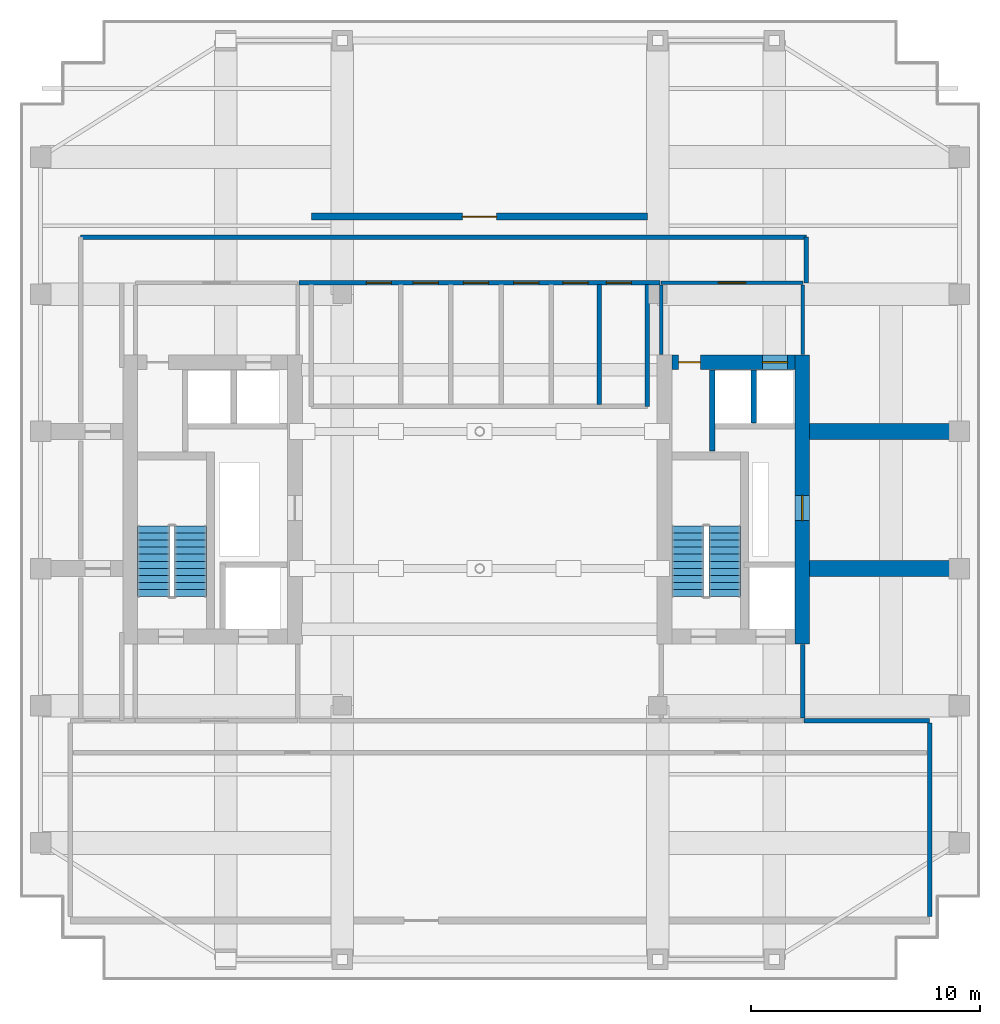
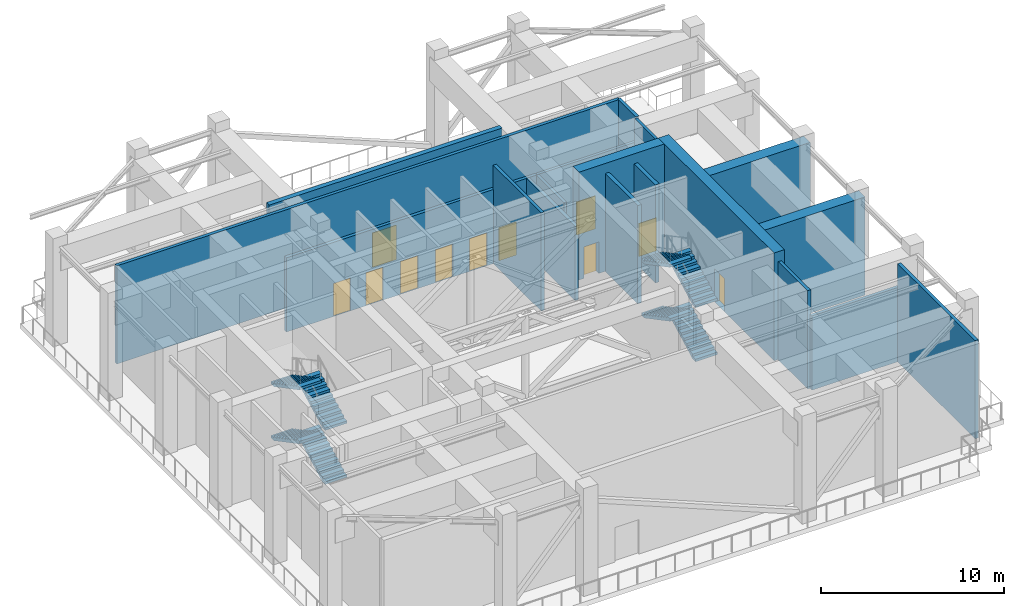
# One storey, part 5 of 9: 18 walls, 11 doors, 8 stair flights, 11 openings, 2 elements without a shape of their own.
"""IFC4 building model written with IfcOpenShell, lengths in metres."""

import ifcopenshell
import ifcopenshell.guid

model = None  # the IFC model being written
_history = None  # IfcOwnerHistory: only IFC2X3 demands one
_inside = {}  # id of a spatial element -> (the spatial element, [elements in it])
_under = {}  # id of a project, library or spatial element -> (it, [spatial elements below it])
_declared = {}  # id of a project -> (the project, [libraries it declares])
_typed = {}  # id of a type object -> (the type object, [elements of that type])
_made_of = {}  # id of a material, layer set ... -> (it, [elements and type objects made of it])


def new_model(schema):
    """Start an empty IFC model of exactly this schema.

    Asked for "IFC4X3", IfcOpenShell would pick the latest addendum, in which some entities
    have other attributes; the version numbers below select the first issue.
    IFC2X3 requires an IfcOwnerHistory on every rooted entity: one is made here for all.
    """
    global model, _history
    if schema == "IFC4X3":
        model = ifcopenshell.file(schema_version=(4, 3, 0, 0))
    else:
        model = ifcopenshell.file(schema=schema)
    _inside.clear()
    _under.clear()
    _declared.clear()
    _typed.clear()
    _made_of.clear()
    _history = None
    if model.schema == "IFC2X3":
        org = make("IfcOrganization", Name="unknown")
        user = make(
            "IfcPersonAndOrganization",
            ThePerson=make("IfcPerson", FamilyName="unknown"),
            TheOrganization=org,
        )
        app = make(
            "IfcApplication",
            ApplicationDeveloper=org,
            Version="unknown",
            ApplicationFullName="unknown",
            ApplicationIdentifier="unknown",
        )
        _history = make(
            "IfcOwnerHistory",
            OwningUser=user,
            OwningApplication=app,
            ChangeAction="ADDED",
            CreationDate=0,
        )
    return model


def make(cls, **values):
    """One entity of the class cls with the attributes given. An attribute that is None is left unset."""
    return model.create_entity(
        cls, **{name: value for name, value in values.items() if value is not None}
    )


def rooted(cls, **values):
    """An entity with a GlobalId (a new one), such as an element, a storey or a relation."""
    return make(cls, GlobalId=ifcopenshell.guid.new(), OwnerHistory=_history, **values)


def si_unit(unit_type, name, prefix=None):
    """IfcSIUnit, for example si_unit("LENGTHUNIT", "METRE", prefix="MILLI")."""
    return make("IfcSIUnit", UnitType=unit_type, Prefix=prefix, Name=name)


def assignment(units):
    """IfcUnitAssignment: the units of a project."""
    return None if units is None else make("IfcUnitAssignment", Units=units)


def point(xyz):
    """IfcCartesianPoint."""
    return None if xyz is None else make("IfcCartesianPoint", Coordinates=xyz)


def direction(xyz):
    """IfcDirection."""
    return None if xyz is None else make("IfcDirection", DirectionRatios=xyz)


def frame(location, z_axis=None, x_axis=None):
    """IfcAxis2Placement3D, a coordinate frame: its origin and axes. An axis left out is left unset."""
    return make(
        "IfcAxis2Placement3D",
        Location=point(location),
        Axis=direction(z_axis),
        RefDirection=direction(x_axis),
    )


def frame_2d(location, x_axis=None):
    """IfcAxis2Placement2D, a coordinate frame in the plane: its origin and x axis."""
    return make(
        "IfcAxis2Placement2D", Location=point(location), RefDirection=direction(x_axis)
    )


def origin():
    """The frame at (0, 0, 0) with its axes left unset."""
    return frame((0.0, 0.0, 0.0))


def place(relative_to, where):
    """IfcLocalPlacement: puts the frame where relative to a parent placement (None: the world)."""
    return make(
        "IfcLocalPlacement", PlacementRelTo=relative_to, RelativePlacement=where
    )


def context(
    kind, dimensions, precision=None, world=None, true_north=None, identifier=None
):
    """IfcGeometricRepresentationContext, for example the 3D "Model" context."""
    return make(
        "IfcGeometricRepresentationContext",
        ContextIdentifier=identifier,
        ContextType=kind,
        CoordinateSpaceDimension=dimensions,
        Precision=precision,
        WorldCoordinateSystem=world,
        TrueNorth=true_north,
    )


def subcontext(parent, identifier, kind, view, scale=None):
    """IfcGeometricRepresentationSubContext, for example "Body" below "Model"."""
    return make(
        "IfcGeometricRepresentationSubContext",
        ContextIdentifier=identifier,
        ContextType=kind,
        ParentContext=parent,
        TargetScale=scale,
        TargetView=view,
    )


def project(units=None, contexts=None):
    """IfcProject with its units and contexts."""
    return rooted(
        "IfcProject",
        Name="project",
        RepresentationContexts=contexts,
        UnitsInContext=assignment(units),
    )


def spatial(cls, under=None, at=None, **own):
    """A site, building, storey or space (cls), placed at a placement, below another one or the project."""
    s = rooted(cls, ObjectPlacement=at, **own)
    if under is not None:
        _under.setdefault(under.id(), (under, []))[1].append(s)
    return s


def polyline(points):
    """IfcPolyline through the points."""
    return make("IfcPolyline", Points=[point(p) for p in points])


def profile(cls, at=None, kind="AREA", **sizes):
    """A parametric profile (cls). Its sizes go by their IFC names, for example OverallWidth=200.0."""
    return make(cls, ProfileType=kind, Position=at, **sizes)


def rectangle(**sizes):
    """IfcRectangleProfileDef."""
    return profile("IfcRectangleProfileDef", **sizes)


def outline(outer, holes=None, kind="AREA"):
    """IfcArbitraryClosedProfileDef: a profile drawn as a closed curve; with holes, ...WithVoids."""
    if holes is None:
        return make("IfcArbitraryClosedProfileDef", ProfileType=kind, OuterCurve=outer)
    return make(
        "IfcArbitraryProfileDefWithVoids",
        ProfileType=kind,
        OuterCurve=outer,
        InnerCurves=holes,
    )


def extrude(swept, where, along, depth):
    """IfcExtrudedAreaSolid: the profile swept, set in the frame where, extruded along a direction by depth."""
    return make(
        "IfcExtrudedAreaSolid",
        SweptArea=swept,
        Position=where,
        ExtrudedDirection=direction(along),
        Depth=depth,
    )


def shape(context_of_items, identifier, shape_type, items):
    """IfcShapeRepresentation: the items that make up one representation, for example the "Body"."""
    return make(
        "IfcShapeRepresentation",
        ContextOfItems=context_of_items,
        RepresentationIdentifier=identifier,
        RepresentationType=shape_type,
        Items=items,
    )


def source(mapping_origin, context_of_items, identifier, shape_type, items):
    """IfcRepresentationMap: a shape defined once, which mapped items show again and again."""
    return make(
        "IfcRepresentationMap",
        MappingOrigin=mapping_origin,
        MappedRepresentation=shape(context_of_items, identifier, shape_type, items),
    )


def transform(
    local_origin,
    x_axis=None,
    y_axis=None,
    z_axis=None,
    scale=None,
    scale2=None,
    scale3=None,
    uniform=True,
):
    """IfcCartesianTransformationOperator3D, or its non-uniform kind. x_axis, y_axis, z_axis: its Axis1, 2, 3."""
    if uniform:
        return make(
            "IfcCartesianTransformationOperator3D",
            Axis1=direction(x_axis),
            Axis2=direction(y_axis),
            LocalOrigin=point(local_origin),
            Scale=scale,
            Axis3=direction(z_axis),
        )
    return make(
        "IfcCartesianTransformationOperator3DnonUniform",
        Axis1=direction(x_axis),
        Axis2=direction(y_axis),
        LocalOrigin=point(local_origin),
        Scale=scale,
        Axis3=direction(z_axis),
        Scale2=scale2,
        Scale3=scale3,
    )


def mapped(mapping_source, mapping_target):
    """IfcMappedItem: shows the shape of a source again, moved by a transform."""
    return make(
        "IfcMappedItem", MappingSource=mapping_source, MappingTarget=mapping_target
    )


def material(Name=None, Category=None):
    """IfcMaterial."""
    return make("IfcMaterial", Name=Name, Category=Category)


def layer(
    of_material, thickness, ventilated=None, Name=None, Category=None, Priority=None
):
    """IfcMaterialLayer: one layer of a wall or slab, of a material (None: an air gap)."""
    return make(
        "IfcMaterialLayer",
        Material=of_material,
        LayerThickness=thickness,
        IsVentilated=ventilated,
        Name=Name,
        Category=Category,
        Priority=Priority,
    )


def layer_set(layers, Name=None):
    """IfcMaterialLayerSet."""
    return make("IfcMaterialLayerSet", MaterialLayers=layers, LayerSetName=Name)


def made_of(thing, what):
    """Note that an element or type object is made of a material, layer set ...; save() writes the relation."""
    if what is not None:
        _made_of.setdefault(what.id(), (what, []))[1].append(thing)
    return thing


def type_object(cls, material=None, **own):
    """A type object (cls), such as IfcWallType, which elements share."""
    return made_of(rooted(cls, **own), material)


def element(
    cls,
    number,
    at=None,
    inside=None,
    cuts=None,
    type_object=None,
    material=None,
    context=None,
    identifier="Body",
    shape_type=None,
    held_by="IfcProductDefinitionShape",
    body=None,
    shapes=None,
    **own,
):
    """One element of the class cls, such as IfcWall. Its Tag is "e" and its number.

    at: its placement. inside: the storey or other place that contains it. cuts: it is an
    opening in that element (IfcRelVoidsElement). A single representation is given by context,
    identifier, shape_type and body (its items); several are given by shapes. held_by: the class
    of the entity that holds the representations. save() writes the other relations.
    """
    e = rooted(cls, Tag="e%d" % number, ObjectPlacement=at, **own)
    if body is not None:
        shapes = [shape(context, identifier, shape_type, body)]
    if shapes is not None:
        e.Representation = make(held_by, Representations=shapes)
    if inside is not None:
        _inside.setdefault(inside.id(), (inside, []))[1].append(e)
    if cuts is not None:
        rooted(
            "IfcRelVoidsElement", RelatingBuildingElement=cuts, RelatedOpeningElement=e
        )
    if type_object is not None:
        _typed.setdefault(type_object.id(), (type_object, []))[1].append(e)
    return made_of(e, material)


def fill(opening, filler):
    """IfcRelFillsElement: the door or window that sits in an opening."""
    return rooted(
        "IfcRelFillsElement",
        RelatingOpeningElement=opening,
        RelatedBuildingElement=filler,
    )


def aggregate(whole, parts):
    """IfcRelAggregates: a whole, such as a stair, and the parts it consists of."""
    return rooted("IfcRelAggregates", RelatingObject=whole, RelatedObjects=parts)


def save(model, path):
    """Write the relations noted so far, then the file.

    IfcRelAggregates (storeys below a building ...), IfcRelContainedInSpatialStructure (elements
    in a storey), IfcRelDefinesByType, IfcRelAssociatesMaterial and IfcRelDeclares: one each for
    every whole, place, type object, material and project.
    """
    for whole, parts in _under.values():
        aggregate(whole, parts)
    for where, things in _inside.values():
        rooted(
            "IfcRelContainedInSpatialStructure",
            RelatedElements=things,
            RelatingStructure=where,
        )
    for kind, things in _typed.values():
        rooted("IfcRelDefinesByType", RelatedObjects=things, RelatingType=kind)
    for what, things in _made_of.values():
        rooted("IfcRelAssociatesMaterial", RelatedObjects=things, RelatingMaterial=what)
    for by, libraries in _declared.values():
        rooted("IfcRelDeclares", RelatingContext=by, RelatedDefinitions=libraries)
    model.write(path)


model = new_model("IFC4")

# Units and contexts
model_context = context("Model", 3, precision=1e-05, world=origin(), true_north=direction((0.0, 1.0)))
body_context = subcontext(model_context, "Body", "Model", "MODEL_VIEW")
ifc_project = project(units=[si_unit("LENGTHUNIT", "METRE"), si_unit("AREAUNIT", "SQUARE_METRE"), si_unit("VOLUMEUNIT", "CUBIC_METRE"), si_unit("PLANEANGLEUNIT", "RADIAN"), si_unit("MASSUNIT", "GRAM", prefix="KILO")], contexts=[model_context])

# Site, building, storey
site_placement = place(None, origin())
site = spatial("IfcSite", under=ifc_project, at=site_placement, CompositionType="ELEMENT")
building_placement = place(site_placement, origin())
building = spatial("IfcBuilding", under=site, at=building_placement, Name="Khoralis Quay Care Tower", CompositionType="ELEMENT")
storey_placement = place(building_placement, frame((0.0, 0.0, 220.5)))
storey = spatial("IfcBuildingStorey", under=building, at=storey_placement, Name="L58", CompositionType="ELEMENT", Elevation=220.5)

# Walls
ifc_material_1 = material(Name="Gypsum plasterboard on acoustic metal stud")
ifc_layer_1 = layer(ifc_material_1, 0.199951171875)
ifc_layer_set_1 = layer_set([ifc_layer_1], Name="Gypsum plasterboard on acoustic metal stud")
wall_type_1 = type_object("IfcWallType", Name="WL-COMP-200", PredefinedType="PARTITIONING", material=ifc_layer_set_1)
wall_1_placement = place(storey_placement, frame((37.25, 11.469970703125, 0.0), z_axis=(0.0, 0.0, 1.0), x_axis=(0.0, 1.0, 0.0)))
element("IfcWall", 1, at=wall_1_placement, inside=storey, type_object=wall_type_1, Name="L58 East Firefighting Lobby East Wall", PredefinedType="PARTITIONING", context=body_context, shape_type="SweptSolid", body=[
    extrude(rectangle(XDim=3.2099609375, YDim=0.199951171875, at=frame_2d((1.60498046875, 0.0))), origin(), (0.0, 0.0, 1.0), 6.550048828125),
])
wall_2_placement = place(storey_placement, frame((42.800048828125, 2.77001953125, 0.0), z_axis=(0.0, 0.0, 1.0), x_axis=(0.0, 1.0, 0.0)))
element("IfcWall", 2, at=wall_2_placement, inside=storey, type_object=wall_type_1, Name="L58 Refuge East Compartment Wall", PredefinedType="PARTITIONING", context=body_context, shape_type="SweptSolid", body=[
    extrude(rectangle(XDim=8.47998046875, YDim=0.199951171875, at=frame_2d((4.239990234375, 0.0))), origin(), (0.0, 0.0, 1.0), 6.550048828125),
])
wall_3_placement = place(storey_placement, frame((37.300048828125, 11.35009765625, 0.0), z_axis=(0.0, 0.0, 1.0), x_axis=(1.0, 0.0, 0.0)))
element("IfcWall", 3, at=wall_3_placement, inside=storey, type_object=wall_type_1, Name="L58 Refuge Corridor North-East Cap", PredefinedType="PARTITIONING", context=body_context, shape_type="SweptSolid", body=[
    extrude(rectangle(XDim=5.5, YDim=0.199951171875, at=frame_2d((2.75, 0.0))), origin(), (0.0, 0.0, 1.0), 4.949951171875),
])
wall_4_placement = place(storey_placement, frame((5.64990234375, 32.5, 0.0), z_axis=(0.0, 0.0, 1.0), x_axis=(1.0, 0.0, 0.0)))
element("IfcWall", 4, at=wall_4_placement, inside=storey, type_object=wall_type_1, Name="L58 North Plant Corridor Outer Wall", PredefinedType="PARTITIONING", context=body_context, shape_type="SweptSolid", body=[
    extrude(rectangle(XDim=31.75, YDim=0.199951171875, at=frame_2d((15.875, 0.0))), origin(), (0.0, 0.0, 1.0), 6.550048828125),
])

# Wall, openings, doors
wall_5_placement = place(storey_placement, frame((15.199951171875, 30.5, 0.0), z_axis=(0.0, 0.0, 1.0), x_axis=(1.0, 0.0, 0.0)))
wall_5 = element("IfcWall", 5, at=wall_5_placement, inside=storey, type_object=wall_type_1, Name="L58 North Plant Corridor South Wall", PredefinedType="PARTITIONING", context=body_context, shape_type="SweptSolid", body=[
    extrude(rectangle(XDim=15.800048828125, YDim=0.199951171875, at=frame_2d((7.89990234375, 0.0))), origin(), (0.0, 0.0, 1.0), 4.949951171875),
])
opening_1_placement = place(wall_5_placement, frame((2.949951171875, 0.0, 0.0)))
opening_1 = element("IfcOpeningElement", 6, at=opening_1_placement, cuts=wall_5, Name="Opening SD1", PredefinedType="OPENING", context=body_context, shape_type="SweptSolid", body=[
    extrude(rectangle(XDim=1.10009765625, YDim=2.199951171875, at=frame_2d((0.550048828125, 1.10009765625))), frame((0.0, 0.10986328125, 0.0), z_axis=(0.0, -1.0, 0.0), x_axis=(1.0, 0.0, 0.0)), (0.0, 0.0, 1.0), 0.219970703125),
])
opening_2_placement = place(wall_5_placement, frame((5.0, 0.0, 0.0)))
opening_2 = element("IfcOpeningElement", 7, at=opening_2_placement, cuts=wall_5, Name="Opening SD1", PredefinedType="OPENING", context=body_context, shape_type="SweptSolid", body=[
    extrude(rectangle(XDim=1.10009765625, YDim=2.199951171875, at=frame_2d((0.550048828125, 1.10009765625))), frame((0.0, 0.10986328125, 0.0), z_axis=(0.0, -1.0, 0.0), x_axis=(1.0, 0.0, 0.0)), (0.0, 0.0, 1.0), 0.219970703125),
])
opening_3_placement = place(wall_5_placement, frame((7.199951171875, 0.0, 0.0)))
opening_3 = element("IfcOpeningElement", 8, at=opening_3_placement, cuts=wall_5, Name="Opening SD1", PredefinedType="OPENING", context=body_context, shape_type="SweptSolid", body=[
    extrude(rectangle(XDim=1.10009765625, YDim=2.199951171875, at=frame_2d((0.550048828125, 1.10009765625))), frame((0.0, 0.10986328125, 0.0), z_axis=(0.0, -1.0, 0.0), x_axis=(1.0, 0.0, 0.0)), (0.0, 0.0, 1.0), 0.219970703125),
])
opening_4_placement = place(wall_5_placement, frame((9.39990234375, 0.0, 0.0)))
opening_4 = element("IfcOpeningElement", 9, at=opening_4_placement, cuts=wall_5, Name="Opening SD1", PredefinedType="OPENING", context=body_context, shape_type="SweptSolid", body=[
    extrude(rectangle(XDim=1.10009765625, YDim=2.199951171875, at=frame_2d((0.550048828125, 1.10009765625))), frame((0.0, 0.10986328125, 0.0), z_axis=(0.0, -1.0, 0.0), x_axis=(1.0, 0.0, 0.0)), (0.0, 0.0, 1.0), 0.219970703125),
])
opening_5_placement = place(wall_5_placement, frame((11.550048828125, 0.0, 0.0)))
opening_5 = element("IfcOpeningElement", 10, at=opening_5_placement, cuts=wall_5, Name="Opening SD1", PredefinedType="OPENING", context=body_context, shape_type="SweptSolid", body=[
    extrude(rectangle(XDim=1.10009765625, YDim=2.199951171875, at=frame_2d((0.550048828125, 1.10009765625))), frame((0.0, 0.10986328125, 0.0), z_axis=(0.0, -1.0, 0.0), x_axis=(1.0, 0.0, 0.0)), (0.0, 0.0, 1.0), 0.219970703125),
])
opening_6_placement = place(wall_5_placement, frame((13.449951171875, 0.0, 0.0)))
opening_6 = element("IfcOpeningElement", 11, at=opening_6_placement, cuts=wall_5, Name="Opening SD1", PredefinedType="OPENING", context=body_context, shape_type="SweptSolid", body=[
    extrude(rectangle(XDim=1.10009765625, YDim=2.199951171875, at=frame_2d((0.550048828125, 1.10009765625))), frame((0.0, 0.10986328125, 0.0), z_axis=(0.0, -1.0, 0.0), x_axis=(1.0, 0.0, 0.0)), (0.0, 0.0, 1.0), 0.219970703125),
])
ifc_material_2 = material(Name="Fire-rated painted steel", Category="steel")
door_type_1 = type_object("IfcDoorType", Name="DR-STAIR-1100X2200", OperationType="NOTDEFINED", PredefinedType="DOOR", material=ifc_material_2)
shared_shape_1 = source(origin(), body_context, "Body", "SweptSolid", [
    extrude(rectangle(XDim=1.10009765625, YDim=2.199951171875, at=frame_2d((0.550048828125, 1.10009765625))), frame((0.0, 0.02490234375, 0.0), z_axis=(0.0, -1.0, 0.0), x_axis=(1.0, 0.0, 0.0)), (0.0, 0.0, 1.0), 0.050048828125),
])
door_1_placement = place(opening_1_placement, origin())
door_1 = element("IfcDoor", 12, at=door_1_placement, inside=storey, type_object=door_type_1, Name="L58 Pressurization AHU Plant Room Door", OperationType="SINGLE_SWING_LEFT", OverallHeight=2.199951171875, OverallWidth=1.10009765625, PredefinedType="DOOR", context=body_context, shape_type="MappedRepresentation", body=[
    mapped(shared_shape_1, transform((0.0, 0.0, 0.0), scale=1.0)),
])
fill(opening_1, door_1)
door_2_placement = place(opening_2_placement, origin())
door_2 = element("IfcDoor", 13, at=door_2_placement, inside=storey, type_object=door_type_1, Name="L58 Smoke Extract Fan Plant Room Door", OperationType="SINGLE_SWING_RIGHT", OverallHeight=2.199951171875, OverallWidth=1.10009765625, PredefinedType="DOOR", context=body_context, shape_type="MappedRepresentation", body=[
    mapped(shared_shape_1, transform((0.0, 0.0, 0.0), scale=1.0)),
])
fill(opening_2, door_2)
door_3_placement = place(opening_3_placement, origin())
door_3 = element("IfcDoor", 14, at=door_3_placement, inside=storey, type_object=door_type_1, Name="L58 Stair Pressurization Plant Room Door", OperationType="SINGLE_SWING_LEFT", OverallHeight=2.199951171875, OverallWidth=1.10009765625, PredefinedType="DOOR", context=body_context, shape_type="MappedRepresentation", body=[
    mapped(shared_shape_1, transform((0.0, 0.0, 0.0), scale=1.0)),
])
fill(opening_3, door_3)
door_4_placement = place(opening_4_placement, origin())
door_4 = element("IfcDoor", 15, at=door_4_placement, inside=storey, type_object=door_type_1, Name="L58 Fire Pump Booster Plant Room Door", OperationType="SINGLE_SWING_RIGHT", OverallHeight=2.199951171875, OverallWidth=1.10009765625, PredefinedType="DOOR", context=body_context, shape_type="MappedRepresentation", body=[
    mapped(shared_shape_1, transform((0.0, 0.0, 0.0), scale=1.0)),
])
fill(opening_4, door_4)
door_5_placement = place(opening_5_placement, origin())
door_5 = element("IfcDoor", 16, at=door_5_placement, inside=storey, type_object=door_type_1, Name="L58 Emergency Power Plant Room Door", OperationType="SINGLE_SWING_LEFT", OverallHeight=2.199951171875, OverallWidth=1.10009765625, PredefinedType="DOOR", context=body_context, shape_type="MappedRepresentation", body=[
    mapped(shared_shape_1, transform((0.0, 0.0, 0.0), scale=1.0)),
])
fill(opening_5, door_5)
door_6_placement = place(opening_6_placement, origin())
door_6 = element("IfcDoor", 17, at=door_6_placement, inside=storey, type_object=door_type_1, Name="L58 Heat Exchanger Plant Room Door", OperationType="SINGLE_SWING_RIGHT", OverallHeight=2.199951171875, OverallWidth=1.10009765625, PredefinedType="DOOR", context=body_context, shape_type="MappedRepresentation", body=[
    mapped(shared_shape_1, transform((0.0, 0.0, 0.0), scale=1.0)),
])
fill(opening_6, door_6)

# Walls
wall_6_placement = place(storey_placement, frame((37.39990234375, 30.5, 0.0), z_axis=(0.0, 0.0, 1.0), x_axis=(0.0, 1.0, 0.0)))
element("IfcWall", 18, at=wall_6_placement, inside=storey, type_object=wall_type_1, Name="L58 North Plant Corridor East Cap", PredefinedType="PARTITIONING", context=body_context, shape_type="SweptSolid", body=[
    extrude(rectangle(XDim=2.0, YDim=0.199951171875, at=frame_2d((1.0, 0.0))), origin(), (0.0, 0.0, 1.0), 6.550048828125),
])
wall_7_placement = place(storey_placement, frame((30.449951171875, 25.10009765625, 0.0), z_axis=(0.0, 0.0, 1.0), x_axis=(0.0, 1.0, 0.0)))
element("IfcWall", 19, at=wall_7_placement, inside=storey, type_object=wall_type_1, Name="L58 Plant Bank East Wall", PredefinedType="PARTITIONING", context=body_context, shape_type="SweptSolid", body=[
    extrude(rectangle(XDim=5.31982421875, YDim=0.199951171875, at=frame_2d((2.659912109375, 0.0))), origin(), (0.0, 0.0, 1.0), 4.949951171875),
])
wall_8_placement = place(storey_placement, frame((28.35009765625, 25.179931640625, 0.0), z_axis=(0.0, 0.0, 1.0), x_axis=(0.0, 1.0, 0.0)))
element("IfcWall", 20, at=wall_8_placement, inside=storey, type_object=wall_type_1, Name="L58 Plant Room Divider 5", PredefinedType="PARTITIONING", context=body_context, shape_type="SweptSolid", body=[
    extrude(rectangle(XDim=5.239990234375, YDim=0.199951171875, at=frame_2d((2.6201171875, 0.0))), origin(), (0.0, 0.0, 1.0), 6.550048828125),
])

# Wall, opening, door
ifc_material_3 = material(Name="Concrete C65/80", Category="concrete")
ifc_layer_2 = layer(ifc_material_3, 0.64990234375)
ifc_layer_set_2 = layer_set([ifc_layer_2], Name="Concrete C65/80")
wall_type_2 = type_object("IfcWallType", Name="WL-CORE-650", PredefinedType="SHEAR", material=ifc_layer_set_2)
wall_9_placement = place(storey_placement, frame((37.22509765625, 14.699951171875, 0.0), z_axis=(0.0, 0.0, 1.0), x_axis=(0.0, 1.0, 0.0)))
wall_9 = element("IfcWall", 21, at=wall_9_placement, inside=storey, type_object=wall_type_2, Name="L58 ECORE East Shear Wall", PredefinedType="SHEAR", context=body_context, shape_type="SweptSolid", body=[
    extrude(rectangle(XDim=12.650146484375, YDim=0.64990234375, at=frame_2d((6.3251953125, 0.0))), origin(), (0.0, 0.0, 1.0), 7.199951171875),
])
opening_7_placement = place(wall_9_placement, frame((5.39990234375, 0.0, 0.0)))
opening_7 = element("IfcOpeningElement", 22, at=opening_7_placement, cuts=wall_9, Name="Opening SD1", PredefinedType="OPENING", context=body_context, shape_type="SweptSolid", body=[
    extrude(rectangle(XDim=1.10009765625, YDim=2.199951171875, at=frame_2d((0.550048828125, 1.10009765625))), frame((0.0, 0.3349609375, 0.0), z_axis=(0.0, -1.0, 0.0), x_axis=(1.0, 0.0, 0.0)), (0.0, 0.0, 1.0), 0.669921875),
])
door_7_placement = place(opening_7_placement, frame((1.10009765625, 0.0, 0.0), z_axis=(0.0, 0.0, 1.0), x_axis=(-1.0, 0.0, 0.0)))
door_7 = element("IfcDoor", 23, at=door_7_placement, inside=storey, type_object=door_type_1, Name="L58 East MEP Riser Door", OperationType="SINGLE_SWING_LEFT", OverallHeight=2.199951171875, OverallWidth=1.10009765625, PredefinedType="DOOR", context=body_context, shape_type="MappedRepresentation", body=[
    mapped(shared_shape_1, transform((0.0, 0.0, 0.0), scale=1.0)),
])
fill(opening_7, door_7)

# Wall, openings, doors
wall_10_placement = place(storey_placement, frame((31.52001953125, 27.02490234375, 0.0), z_axis=(0.0, 0.0, 1.0), x_axis=(1.0, 0.0, 0.0)))
wall_10 = element("IfcWall", 24, at=wall_10_placement, inside=storey, type_object=wall_type_2, Name="L58 ECORE North Shear Wall", PredefinedType="SHEAR", context=body_context, shape_type="SweptSolid", body=[
    extrude(rectangle(XDim=5.3798828125, YDim=0.64990234375, at=frame_2d((2.68994140625, 0.0))), origin(), (0.0, 0.0, 1.0), 7.199951171875),
])
opening_8_placement = place(wall_10_placement, frame((0.300048828125, 0.0, 0.0)))
opening_8 = element("IfcOpeningElement", 25, at=opening_8_placement, cuts=wall_10, Name="Opening ID1", PredefinedType="OPENING", context=body_context, shape_type="SweptSolid", body=[
    extrude(rectangle(XDim=0.949951171875, YDim=2.10009765625, at=frame_2d((0.47509765625, 1.050048828125))), frame((0.0, 0.3349609375, 0.0), z_axis=(0.0, -1.0, 0.0), x_axis=(1.0, 0.0, 0.0)), (0.0, 0.0, 1.0), 0.669921875),
])
opening_9_placement = place(wall_10_placement, frame((3.9599609375, 0.0, 0.0)))
opening_9 = element("IfcOpeningElement", 26, at=opening_9_placement, cuts=wall_10, Name="Opening LD1", PredefinedType="OPENING", context=body_context, shape_type="SweptSolid", body=[
    extrude(rectangle(XDim=1.10009765625, YDim=2.199951171875, at=frame_2d((0.550048828125, 1.10009765625))), frame((0.0, 0.3349609375, 0.0), z_axis=(0.0, -1.0, 0.0), x_axis=(1.0, 0.0, 0.0)), (0.0, 0.0, 1.0), 0.669921875),
])
ifc_material_4 = material(Name="Brushed stainless steel", Category="steel")
door_type_2 = type_object("IfcDoorType", Name="DR-LIFT-1100X2200", OperationType="SLIDING_TO_LEFT", PredefinedType="DOOR", material=ifc_material_4)
shared_shape_2 = source(origin(), body_context, "Body", "SweptSolid", [
    extrude(rectangle(XDim=1.10009765625, YDim=2.199951171875, at=frame_2d((0.550048828125, 1.10009765625))), frame((0.0, 0.02490234375, 0.0), z_axis=(0.0, -1.0, 0.0), x_axis=(1.0, 0.0, 0.0)), (0.0, 0.0, 1.0), 0.050048828125),
])
door_8_placement = place(opening_9_placement, origin())
door_8 = element("IfcDoor", 27, at=door_8_placement, inside=storey, type_object=door_type_2, Name="L58 Lift PLH2 Landing Door", OperationType="SLIDING_TO_LEFT", OverallHeight=2.199951171875, OverallWidth=1.10009765625, PredefinedType="DOOR", context=body_context, shape_type="MappedRepresentation", body=[
    mapped(shared_shape_2, transform((0.0, 0.0, 0.0), scale=1.0)),
])
fill(opening_9, door_8)
ifc_material_5 = material(Name="Acoustic hardwood timber", Category="wood")
door_type_3 = type_object("IfcDoorType", Name="DR-ROOM-950X2100", OperationType="NOTDEFINED", PredefinedType="DOOR", material=ifc_material_5)
shared_shape_3 = source(origin(), body_context, "Body", "SweptSolid", [
    extrude(rectangle(XDim=0.949951171875, YDim=2.10009765625, at=frame_2d((0.47509765625, 1.050048828125))), frame((0.0, 0.02490234375, 0.0), z_axis=(0.0, -1.0, 0.0), x_axis=(1.0, 0.0, 0.0)), (0.0, 0.0, 1.0), 0.050048828125),
])
door_9_placement = place(opening_8_placement, frame((0.949951171875, 0.0, 0.0), z_axis=(0.0, 0.0, 1.0), x_axis=(-1.0, 0.0, 0.0)))
door_9 = element("IfcDoor", 28, at=door_9_placement, inside=storey, type_object=door_type_3, Name="L58 Nutrition Pantry Door", OperationType="SINGLE_SWING_LEFT", OverallHeight=2.10009765625, OverallWidth=0.949951171875, PredefinedType="DOOR", context=body_context, shape_type="MappedRepresentation", body=[
    mapped(shared_shape_3, transform((0.0, 0.0, 0.0), scale=1.0)),
])
fill(opening_8, door_9)

# Wall, opening, door
ifc_layer_3 = layer(ifc_material_1, 0.1650390625)
ifc_layer_set_3 = layer_set([ifc_layer_3], Name="Gypsum plasterboard on acoustic metal stud")
wall_type_3 = type_object("IfcWallType", Name="WL-CORR-165", PredefinedType="PARTITIONING", material=ifc_layer_set_3)
wall_11_placement = place(storey_placement, frame((31.050048828125, 30.5, 0.0), z_axis=(0.0, 0.0, 1.0), x_axis=(1.0, 0.0, 0.0)))
wall_11 = element("IfcWall", 29, at=wall_11_placement, inside=storey, type_object=wall_type_3, Name="L58 East Lift Lobby North Wall", PredefinedType="PARTITIONING", context=body_context, shape_type="SweptSolid", body=[
    extrude(rectangle(XDim=6.199951171875, YDim=0.1650390625, at=frame_2d((3.10009765625, 0.0))), origin(), (0.0, 0.0, 1.0), 4.949951171875),
])
opening_10_placement = place(wall_11_placement, frame((2.5, 0.0, 0.0)))
opening_10 = element("IfcOpeningElement", 30, at=opening_10_placement, cuts=wall_11, Name="Opening FD1", PredefinedType="OPENING", context=body_context, shape_type="SweptSolid", body=[
    extrude(rectangle(XDim=1.199951171875, YDim=2.199951171875, at=frame_2d((0.60009765625, 1.10009765625))), frame((0.0, 0.092529296875, 0.0), z_axis=(0.0, -1.0, 0.0), x_axis=(1.0, 0.0, 0.0)), (0.0, 0.0, 1.0), 0.18505859375),
])
door_type_4 = type_object("IfcDoorType", Name="DR-FFL-1200X2200", OperationType="NOTDEFINED", PredefinedType="DOOR", material=ifc_material_2)
shared_shape_4 = source(origin(), body_context, "Body", "SweptSolid", [
    extrude(rectangle(XDim=1.199951171875, YDim=2.199951171875, at=frame_2d((0.60009765625, 1.10009765625))), frame((0.0, 0.02490234375, 0.0), z_axis=(0.0, -1.0, 0.0), x_axis=(1.0, 0.0, 0.0)), (0.0, 0.0, 1.0), 0.050048828125),
])
door_10_placement = place(opening_10_placement, origin())
door_10 = element("IfcDoor", 31, at=door_10_placement, inside=storey, type_object=door_type_4, Name="L58 East Lift Lobby Double Door", OperationType="DOUBLE_DOOR_SINGLE_SWING", OverallHeight=2.199951171875, OverallWidth=1.199951171875, PredefinedType="DOOR", context=body_context, shape_type="MappedRepresentation", body=[
    mapped(shared_shape_4, transform((0.0, 0.0, 0.0), scale=1.0)),
])
fill(opening_10, door_10)

# Walls
wall_12_placement = place(storey_placement, frame((31.050048828125, 27.3701171875, 0.0), z_axis=(0.0, 0.0, 1.0), x_axis=(0.0, 1.0, 0.0)))
element("IfcWall", 32, at=wall_12_placement, inside=storey, type_object=wall_type_3, Name="L58 East Lift Lobby West Wall", PredefinedType="PARTITIONING", context=body_context, shape_type="SweptSolid", body=[
    extrude(rectangle(XDim=3.02978515625, YDim=0.1650390625, at=frame_2d((1.514892578125, 0.0))), origin(), (0.0, 0.0, 1.0), 4.949951171875),
])
wall_13_placement = place(storey_placement, frame((37.25, 27.3701171875, 0.0), z_axis=(0.0, 0.0, 1.0), x_axis=(0.0, 1.0, 0.0)))
element("IfcWall", 33, at=wall_13_placement, inside=storey, type_object=wall_type_3, Name="L58 East Lift Lobby East Wall", PredefinedType="PARTITIONING", context=body_context, shape_type="SweptSolid", body=[
    extrude(rectangle(XDim=3.02978515625, YDim=0.1650390625, at=frame_2d((1.514892578125, 0.0))), origin(), (0.0, 0.0, 1.0), 6.550048828125),
])

# Wall, opening, door
ifc_material_6 = material(Name="Precast concrete C45/55", Category="concrete")
ifc_layer_4 = layer(ifc_material_6, 0.300048828125)
ifc_layer_set_4 = layer_set([ifc_layer_4], Name="Precast concrete C45/55")
wall_type_4 = type_object("IfcWallType", Name="WL-EXT-REF-300", PredefinedType="SOLIDWALL", material=ifc_layer_set_4)
wall_14_placement = place(storey_placement, frame((15.75, 33.39990234375, 0.0), z_axis=(0.0, 0.0, 1.0), x_axis=(1.0, 0.0, 0.0)))
wall_14 = element("IfcWall", 34, at=wall_14_placement, inside=storey, type_object=wall_type_4, Name="L58 External Facade Wall WL-L58-REF-N", PredefinedType="SOLIDWALL", context=body_context, shape_type="SweptSolid", body=[
    extrude(rectangle(XDim=14.699951171875, YDim=0.300048828125, at=frame_2d((7.35009765625, 0.0))), origin(), (0.0, 0.0, 1.0), 6.550048828125),
])
opening_11_placement = place(wall_14_placement, frame((6.60009765625, 0.0, 0.0)))
opening_11 = element("IfcOpeningElement", 35, at=opening_11_placement, cuts=wall_14, Name="Opening TD1", PredefinedType="OPENING", context=body_context, shape_type="SweptSolid", body=[
    extrude(rectangle(XDim=1.5, YDim=2.300048828125, at=frame_2d((0.75, 1.14990234375))), frame((0.0, 0.16015625, 0.0), z_axis=(0.0, -1.0, 0.0), x_axis=(1.0, 0.0, 0.0)), (0.0, 0.0, 1.0), 0.320068359375),
])
ifc_material_7 = material(Name="Anodised aluminium and laminated safety glass", Category="aluminium")
door_type_5 = type_object("IfcDoorType", Name="DR-EXT-TERR-1500X2300", OperationType="NOTDEFINED", PredefinedType="DOOR", material=ifc_material_7)
shared_shape_5 = source(origin(), body_context, "Body", "SweptSolid", [
    extrude(rectangle(XDim=1.5, YDim=2.300048828125, at=frame_2d((0.75, 1.14990234375))), frame((0.0, 0.02490234375, 0.0), z_axis=(0.0, -1.0, 0.0), x_axis=(1.0, 0.0, 0.0)), (0.0, 0.0, 1.0), 0.050048828125),
])
door_11_placement = place(opening_11_placement, origin())
door_11 = element("IfcDoor", 36, at=door_11_placement, inside=storey, type_object=door_type_5, Name="L58 Wind-Slot Deck Door North", OperationType="DOUBLE_DOOR_SINGLE_SWING", OverallHeight=2.300048828125, OverallWidth=1.5, PredefinedType="DOOR", context=body_context, shape_type="MappedRepresentation", body=[
    mapped(shared_shape_5, transform((0.0, 0.0, 0.0), scale=1.0)),
])
fill(opening_11, door_11)

# Walls
ifc_layer_5 = layer(ifc_material_3, 0.699951171875)
ifc_layer_set_5 = layer_set([ifc_layer_5], Name="Concrete C65/80")
wall_type_5 = type_object("IfcWallType", Name="WL-OUTRIGGER-700", PredefinedType="SOLIDWALL", material=ifc_layer_set_5)
for number, where, z_axis, x_axis, name in (
    (37, (37.550048828125, 18.0, 0.0), (0.0, 0.0, 1.0), (1.0, 0.0, 0.0), "L58 East Outrigger Wall S"),
    (38, (37.550048828125, 24.0, 0.0), (0.0, 0.0, 1.0), (1.0, 0.0, 0.0), "L58 East Outrigger Wall N"),
):
    element("IfcWall", number, at=place(storey_placement, frame(where, z_axis=z_axis, x_axis=x_axis)), inside=storey, type_object=wall_type_5, Name=name, PredefinedType="SOLIDWALL", context=body_context, shape_type="SweptSolid", body=[
        extrude(rectangle(XDim=6.800048828125, YDim=0.699951171875, at=frame_2d((3.39990234375, 0.0))), origin(), (0.0, 0.0, 1.0), 6.550048828125),
    ])
ifc_layer_6 = layer(ifc_material_1, 0.239990234375)
ifc_layer_set_6 = layer_set([ifc_layer_6], Name="Gypsum plasterboard on acoustic metal stud")
wall_type_6 = type_object("IfcWallType", Name="WL-SHAFT-240", PredefinedType="PARTITIONING", material=ifc_layer_set_6)
wall_15_placement = place(storey_placement, frame((33.2900390625, 23.139892578125, 0.0), z_axis=(0.0, 0.0, 1.0), x_axis=(0.0, 1.0, 0.0)))
element("IfcWall", 39, at=wall_15_placement, inside=storey, type_object=wall_type_6, Name="L58 Reclaimed Bay Divider East", PredefinedType="PARTITIONING", context=body_context, shape_type="SweptSolid", body=[
    extrude(rectangle(XDim=3.5400390625, YDim=0.239990234375, at=frame_2d((1.77001953125, 0.0))), origin(), (0.0, 0.0, 1.0), 6.550048828125),
])
wall_16_placement = place(storey_placement, frame((35.110107421875, 24.360107421875, 0.0), z_axis=(0.0, 0.0, 1.0), x_axis=(0.0, 1.0, 0.0)))
element("IfcWall", 40, at=wall_16_placement, inside=storey, type_object=wall_type_6, Name="L58 East Shaft Divider 2", PredefinedType="PARTITIONING", context=body_context, shape_type="SweptSolid", body=[
    extrude(rectangle(XDim=2.31982421875, YDim=0.239990234375, at=frame_2d((1.159912109375, 0.0))), origin(), (0.0, 0.0, 1.0), 6.550048828125),
])

# Stair, stair flights
stair_type = type_object("IfcStairType", Name="ST-TWR-DOGLEG-1400", PredefinedType="HALF_TURN_STAIR", material=ifc_material_6)
stair_1_placement = place(storey_placement, origin())
stair_1 = element("IfcStair", 41, at=stair_1_placement, inside=storey, type_object=stair_type, Name="L58 West Core Exit Stair ST-T1", PredefinedType="HALF_TURN_STAIR")
stair_flight_type = type_object("IfcStairFlightType", Name="SF-TWR-1400", PredefinedType="STRAIGHT", material=ifc_material_6)
shared_shape_6 = source(origin(), body_context, "Body", "SweptSolid", [
    extrude(outline(polyline([(0.0, 0.0), (0.0, 0.16357421875), (0.31005859375, 0.16357421875), (0.31005859375, 0.327392578125), (0.6201171875, 0.327392578125), (0.6201171875, 0.490966796875), (0.929931640625, 0.490966796875), (0.929931640625, 0.654541015625), (1.239990234375, 0.654541015625), (1.239990234375, 0.818115234375), (1.550048828125, 0.818115234375), (1.550048828125, 0.98193359375), (1.860107421875, 0.98193359375), (1.860107421875, 1.1455078125), (2.169921875, 1.1455078125), (2.169921875, 1.30908203125), (2.47998046875, 1.30908203125), (2.47998046875, 1.47265625), (2.7900390625, 1.47265625), (2.7900390625, 1.636474609375), (3.10009765625, 1.636474609375), (3.10009765625, 1.800048828125), (3.10009765625, 1.466796875), (0.321044921875, 0.0), (0.0, 0.0)])), frame((0.0, 0.68994140625, 0.0), z_axis=(0.0, -1.0, 0.0), x_axis=(1.0, 0.0, 0.0)), (0.0, 0.0, 1.0), 1.3798828125),
])
stair_flight_1_placement = place(storey_placement, frame((10.4599609375, 16.77001953125, 0.0), z_axis=(0.0, 0.0, 1.0), x_axis=(0.0, 1.0, 0.0)))
stair_flight_1 = element("IfcStairFlight", 42, at=stair_flight_1_placement, type_object=stair_flight_type, Name="ST-T1 flight 1", NumberOfRisers=11, NumberOfTreads=10, PredefinedType="STRAIGHT", RiserHeight=0.163636364, TreadLength=0.31, context=body_context, shape_type="MappedRepresentation", body=[
    mapped(shared_shape_6, transform((0.0, 0.0, 0.0), scale=1.0)),
])
stair_flight_2_placement = place(storey_placement, frame((8.840087890625, 19.8701171875, 1.800048828125), z_axis=(0.0, 0.0, 1.0), x_axis=(0.0, -1.0, 0.0)))
stair_flight_2 = element("IfcStairFlight", 43, at=stair_flight_2_placement, type_object=stair_flight_type, Name="ST-T1 flight 2", NumberOfRisers=11, NumberOfTreads=10, PredefinedType="STRAIGHT", RiserHeight=0.163636364, TreadLength=0.31, context=body_context, shape_type="MappedRepresentation", body=[
    mapped(shared_shape_6, transform((0.0, 0.0, 0.0), scale=1.0)),
])
stair_flight_3_placement = place(storey_placement, frame((10.4599609375, 16.77001953125, 3.60009765625), z_axis=(0.0, 0.0, 1.0), x_axis=(0.0, 1.0, 0.0)))
stair_flight_3 = element("IfcStairFlight", 44, at=stair_flight_3_placement, type_object=stair_flight_type, Name="ST-T1 flight 3", NumberOfRisers=11, NumberOfTreads=10, PredefinedType="STRAIGHT", RiserHeight=0.163636364, TreadLength=0.31, context=body_context, shape_type="MappedRepresentation", body=[
    mapped(shared_shape_6, transform((0.0, 0.0, 0.0), scale=1.0)),
])
stair_flight_4_placement = place(storey_placement, frame((8.840087890625, 19.8701171875, 5.39990234375), z_axis=(0.0, 0.0, 1.0), x_axis=(0.0, -1.0, 0.0)))
stair_flight_4 = element("IfcStairFlight", 45, at=stair_flight_4_placement, type_object=stair_flight_type, Name="ST-T1 flight 4", NumberOfRisers=11, NumberOfTreads=10, PredefinedType="STRAIGHT", RiserHeight=0.163636364, TreadLength=0.31, context=body_context, shape_type="MappedRepresentation", body=[
    mapped(shared_shape_6, transform((0.0, 0.0, 0.0), scale=1.0)),
])
aggregate(stair_1, [stair_flight_1, stair_flight_2, stair_flight_3, stair_flight_4])

stair_2_placement = place(storey_placement, origin())
stair_2 = element("IfcStair", 46, at=stair_2_placement, inside=storey, type_object=stair_type, Name="L58 East Core Exit Stair ST-T2", PredefinedType="HALF_TURN_STAIR")
stair_flight_5_placement = place(storey_placement, frame((33.830078125, 16.77001953125, 0.0), z_axis=(0.0, 0.0, 1.0), x_axis=(0.0, 1.0, 0.0)))
stair_flight_5 = element("IfcStairFlight", 47, at=stair_flight_5_placement, type_object=stair_flight_type, Name="ST-T2 flight 1", NumberOfRisers=11, NumberOfTreads=10, PredefinedType="STRAIGHT", RiserHeight=0.163636364, TreadLength=0.31, context=body_context, shape_type="MappedRepresentation", body=[
    mapped(shared_shape_6, transform((0.0, 0.0, 0.0), scale=1.0)),
])
stair_flight_6_placement = place(storey_placement, frame((32.2099609375, 19.8701171875, 1.800048828125), z_axis=(0.0, 0.0, 1.0), x_axis=(0.0, -1.0, 0.0)))
stair_flight_6 = element("IfcStairFlight", 48, at=stair_flight_6_placement, type_object=stair_flight_type, Name="ST-T2 flight 2", NumberOfRisers=11, NumberOfTreads=10, PredefinedType="STRAIGHT", RiserHeight=0.163636364, TreadLength=0.31, context=body_context, shape_type="MappedRepresentation", body=[
    mapped(shared_shape_6, transform((0.0, 0.0, 0.0), scale=1.0)),
])
stair_flight_7_placement = place(storey_placement, frame((33.830078125, 16.77001953125, 3.60009765625), z_axis=(0.0, 0.0, 1.0), x_axis=(0.0, 1.0, 0.0)))
stair_flight_7 = element("IfcStairFlight", 49, at=stair_flight_7_placement, type_object=stair_flight_type, Name="ST-T2 flight 3", NumberOfRisers=11, NumberOfTreads=10, PredefinedType="STRAIGHT", RiserHeight=0.163636364, TreadLength=0.31, context=body_context, shape_type="MappedRepresentation", body=[
    mapped(shared_shape_6, transform((0.0, 0.0, 0.0), scale=1.0)),
])
stair_flight_8_placement = place(storey_placement, frame((32.2099609375, 19.8701171875, 5.39990234375), z_axis=(0.0, 0.0, 1.0), x_axis=(0.0, -1.0, 0.0)))
stair_flight_8 = element("IfcStairFlight", 50, at=stair_flight_8_placement, type_object=stair_flight_type, Name="ST-T2 flight 4", NumberOfRisers=11, NumberOfTreads=10, PredefinedType="STRAIGHT", RiserHeight=0.163636364, TreadLength=0.31, context=body_context, shape_type="MappedRepresentation", body=[
    mapped(shared_shape_6, transform((0.0, 0.0, 0.0), scale=1.0)),
])
aggregate(stair_2, [stair_flight_5, stair_flight_6, stair_flight_7, stair_flight_8])

save(model, "model.ifc")
